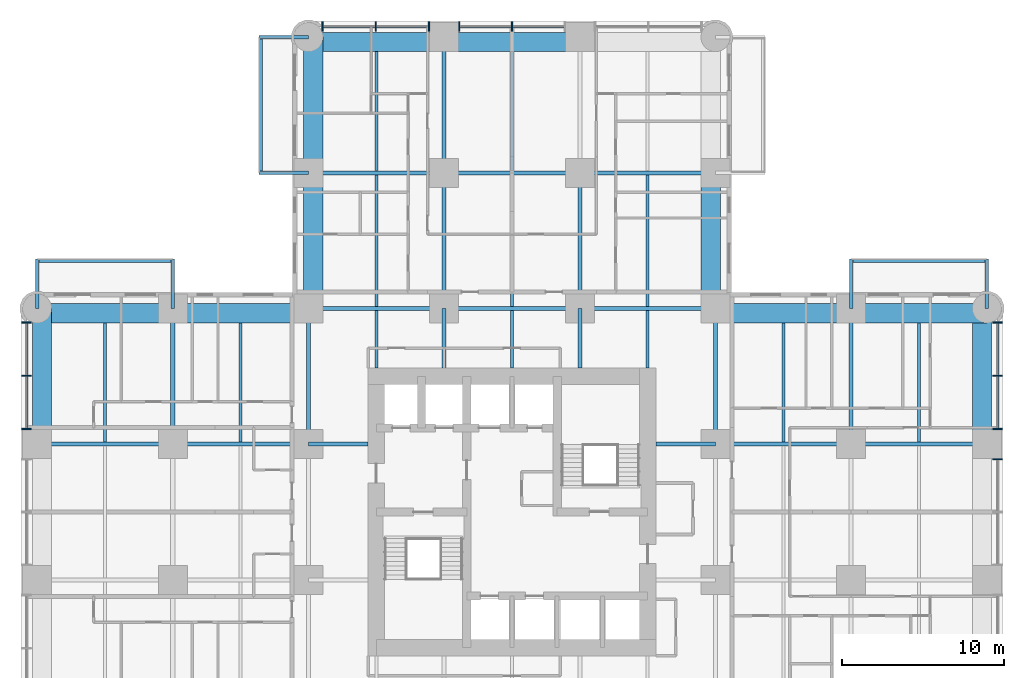
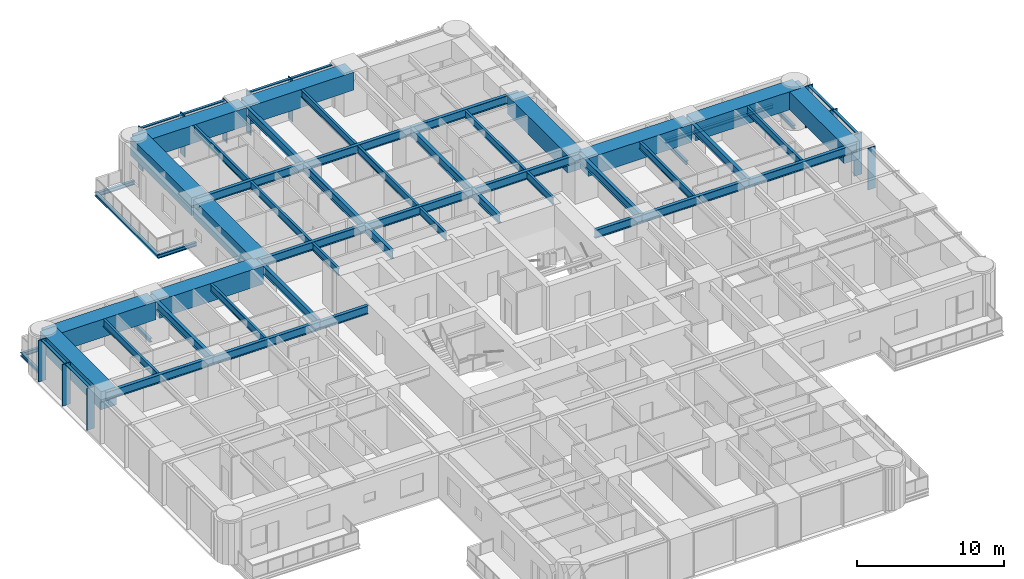
# One storey, part 4 of 17: 53 beams, 20 members, 3 elements without a shape of their own.
"""IFC4 building model written with IfcOpenShell, lengths in metres."""

from ifc_helpers import new_model, si_unit, direction, frame, origin, origin_2d, place, context, subcontext, project, spatial, rectangle, i_section, extrude, material, material_profile, profile_set, type_object, element, aggregate, save


model = new_model("IFC4")

# Units and contexts
model_context = context("Model", 3, precision=1e-05, world=origin(), true_north=direction((0.0, 1.0)))
body_context = subcontext(model_context, "Body", "Model", "MODEL_VIEW")
ifc_project = project(units=[si_unit("LENGTHUNIT", "METRE"), si_unit("AREAUNIT", "SQUARE_METRE"), si_unit("VOLUMEUNIT", "CUBIC_METRE"), si_unit("PLANEANGLEUNIT", "RADIAN"), si_unit("MASSUNIT", "GRAM", prefix="KILO")], contexts=[model_context])

# Site, building, storey
site_placement = place(None, origin())
site = spatial("IfcSite", under=ifc_project, at=site_placement, CompositionType="ELEMENT")
building_placement = place(site_placement, origin())
building = spatial("IfcBuilding", under=site, at=building_placement, Name="Torre Alcanfor", CompositionType="ELEMENT")
storey_placement = place(building_placement, frame((0.0, 0.0, 77.699951171875)))
storey = spatial("IfcBuildingStorey", under=building, at=storey_placement, Name="L19", CompositionType="ELEMENT", Elevation=77.699951171875)

# Beams
ifc_material_1 = material(Name="Steel ASTM A992 Grade 50", Category="steel")
ifc_material_profile_1 = material_profile(ifc_material_1, i_section(OverallWidth=0.205322265625, OverallDepth=0.309814453125, WebThickness=0.00927734375, FlangeThickness=0.016357421875, at=origin_2d()), Name="W12x50")
ifc_profile_set_1 = profile_set([ifc_material_profile_1], Name="Steel ASTM A992 Grade 50")
beam_type_1 = type_object("IfcBeamType", Name="Balcony cantilever beam W12x50", PredefinedType="BEAM", material=ifc_profile_set_1)
for number, where, z_axis, x_axis, name in (
    (1, (16.800048828125, 50.39990234375, -0.35498046875), (-1.0, 0.0, 0.0), (0.0, -1.0, 0.0), "Balcony cantilever beam L19-N1 1"),
    (2, (16.800048828125, 58.800048828125, -0.35498046875), (-1.0, 0.0, 0.0), (0.0, -1.0, 0.0), "Balcony cantilever beam L19-N1 2"),
    (3, (50.39990234375, 42.0, -0.35498046875), (0.0, 1.0, 0.0), (-1.0, 0.0, 0.0), "Balcony cantilever beam L19-E1 1"),
    (4, (58.800048828125, 42.0, -0.35498046875), (0.0, 1.0, 0.0), (-1.0, 0.0, 0.0), "Balcony cantilever beam L19-E1 2"),
    (5, (8.39990234375, 42.0, -0.35498046875), (0.0, 1.0, 0.0), (-1.0, 0.0, 0.0), "Balcony cantilever beam L19-W2 1"),
    (6, (0.0, 42.0, -0.35498046875), (0.0, 1.0, 0.0), (-1.0, 0.0, 0.0), "Balcony cantilever beam L19-W2 2"),
):
    element("IfcBeam", number, at=place(storey_placement, frame(where, z_axis=z_axis, x_axis=x_axis)), inside=storey, type_object=beam_type_1, Name=name, PredefinedType="BEAM", context=body_context, shape_type="SweptSolid", body=[
        extrude(i_section(OverallWidth=0.205322265625, OverallDepth=0.309814453125, WebThickness=0.00927734375, FlangeThickness=0.016357421875, at=origin_2d()), origin(), (0.0, 0.0, 1.0), 3.050048828125),
    ])
ifc_material_2 = material(Name="Steel ASTM A992 Grade 50", Category="steel")
ifc_material_profile_2 = material_profile(ifc_material_2, i_section(OverallWidth=0.203369140625, OverallDepth=0.30224609375, WebThickness=0.007568359375, FlangeThickness=0.01318359375, at=origin_2d()), Name="W12x40")
ifc_profile_set_2 = profile_set([ifc_material_profile_2], Name="Steel ASTM A992 Grade 50")
beam_type_2 = type_object("IfcBeamType", Name="Balcony edge trimmer W12x40", PredefinedType="BEAM", material=ifc_profile_set_2)
for number, where, z_axis, x_axis, name in (
    (7, (13.851806640625, 50.39990234375, -0.35107421875), (0.0, 1.0, 0.0), (-1.0, 0.0, 0.0), "Balcony edge trimmer L19-N1"),
    (8, (50.39990234375, 44.9482421875, -0.35107421875), (1.0, 0.0, 0.0), (0.0, 1.0, 0.0), "Balcony edge trimmer L19-E1"),
):
    element("IfcBeam", number, at=place(storey_placement, frame(where, z_axis=z_axis, x_axis=x_axis)), inside=storey, type_object=beam_type_2, Name=name, PredefinedType="BEAM", context=body_context, shape_type="SweptSolid", body=[
        extrude(i_section(OverallWidth=0.203369140625, OverallDepth=0.30224609375, WebThickness=0.007568359375, FlangeThickness=0.01318359375, at=origin_2d()), origin(), (0.0, 0.0, 1.0), 8.400146484375),
    ])
beam_1_placement = place(storey_placement, frame((8.39990234375, 44.9482421875, -0.35107421875), z_axis=(-1.0, 0.0, 0.0), x_axis=(0.0, -1.0, 0.0)))
element("IfcBeam", 9, at=beam_1_placement, inside=storey, type_object=beam_type_2, Name="Balcony edge trimmer L19-W2", PredefinedType="BEAM", context=body_context, shape_type="SweptSolid", body=[
    extrude(i_section(OverallWidth=0.203369140625, OverallDepth=0.30224609375, WebThickness=0.007568359375, FlangeThickness=0.01318359375, at=origin_2d()), origin(), (0.0, 0.0, 1.0), 8.39990234375),
])

# Curtain wall, members
ifc_material_3 = material(Name="Aluminium and glass", Category="aluminium")
curtain_wall_type = type_object("IfcCurtainWallType", Name="CW-A unitised apartment glazing with vertical FIN", PredefinedType="NOTDEFINED", material=ifc_material_3)
curtain_wall_1_placement = place(storey_placement, origin())
curtain_wall_1 = element("IfcCurtainWall", 10, at=curtain_wall_1_placement, inside=storey, type_object=curtain_wall_type, Name="Curtain wall CW-A L19 2", PredefinedType="NOTDEFINED")
ifc_material_4 = material(Name="Bronze anodised aluminium", Category="aluminium")
ifc_material_profile_3 = material_profile(ifc_material_4, rectangle(XDim=0.60009765625, YDim=0.06494140625, at=origin_2d()), Name="CW-A mullion 65x600")
ifc_profile_set_3 = profile_set([ifc_material_profile_3], Name="Bronze anodised aluminium")
member_type_1 = type_object("IfcMemberType", Name="CW-A mullion with vertical FIN 65x600", PredefinedType="MULLION", material=ifc_profile_set_3)
member_1_placement = place(storey_placement, frame((-0.64990234375, 41.133056640625, 0.0), z_axis=(0.0, 0.0, 1.0), x_axis=(1.0, 0.0, 0.0)))
member_1 = element("IfcMember", 11, at=member_1_placement, type_object=member_type_1, Name="CW-A mullion 1.1", PredefinedType="MULLION", context=body_context, shape_type="SweptSolid", body=[
    extrude(rectangle(XDim=0.60009765625, YDim=0.06494140625, at=origin_2d()), origin(), (0.0, 0.0, 1.0), 3.449951171875),
])
member_2_placement = place(storey_placement, frame((-0.64990234375, 37.835205078125, 0.0), z_axis=(0.0, 0.0, 1.0), x_axis=(1.0, 0.0, 0.0)))
member_2 = element("IfcMember", 12, at=member_2_placement, type_object=member_type_1, Name="CW-A mullion 1.2", PredefinedType="MULLION", context=body_context, shape_type="SweptSolid", body=[
    extrude(rectangle(XDim=0.60009765625, YDim=0.06494140625, at=origin_2d()), origin(), (0.0, 0.0, 1.0), 3.449951171875),
])
member_3_placement = place(storey_placement, frame((-0.64990234375, 34.53759765625, 0.0), z_axis=(0.0, 0.0, 1.0), x_axis=(1.0, 0.0, 0.0)))
member_3 = element("IfcMember", 13, at=member_3_placement, type_object=member_type_1, Name="CW-A mullion 1.3", PredefinedType="MULLION", context=body_context, shape_type="SweptSolid", body=[
    extrude(rectangle(XDim=0.60009765625, YDim=0.06494140625, at=origin_2d()), origin(), (0.0, 0.0, 1.0), 3.449951171875),
])

curtain_wall_2_placement = place(storey_placement, origin())
curtain_wall_2 = element("IfcCurtainWall", 14, at=curtain_wall_2_placement, inside=storey, type_object=curtain_wall_type, Name="Curtain wall CW-A L19 8", PredefinedType="NOTDEFINED")
member_4_placement = place(storey_placement, frame((59.449951171875, 32.66259765625, 0.0), z_axis=(0.0, 0.0, 1.0), x_axis=(-1.0, 0.0, 0.0)))
member_4 = element("IfcMember", 15, at=member_4_placement, type_object=member_type_1, Name="CW-A mullion 2.3", PredefinedType="MULLION", context=body_context, shape_type="SweptSolid", body=[
    extrude(rectangle(XDim=0.60009765625, YDim=0.06494140625, at=origin_2d()), origin(), (0.0, 0.0, 1.0), 3.449951171875),
])
member_5_placement = place(storey_placement, frame((59.449951171875, 34.53759765625, 0.0), z_axis=(0.0, 0.0, 1.0), x_axis=(-1.0, 0.0, 0.0)))
member_5 = element("IfcMember", 16, at=member_5_placement, type_object=member_type_1, Name="CW-A mullion 3.1", PredefinedType="MULLION", context=body_context, shape_type="SweptSolid", body=[
    extrude(rectangle(XDim=0.60009765625, YDim=0.06494140625, at=origin_2d()), origin(), (0.0, 0.0, 1.0), 3.449951171875),
])
member_6_placement = place(storey_placement, frame((59.449951171875, 37.835205078125, 0.0), z_axis=(0.0, 0.0, 1.0), x_axis=(-1.0, 0.0, 0.0)))
member_6 = element("IfcMember", 17, at=member_6_placement, type_object=member_type_1, Name="CW-A mullion 3.2", PredefinedType="MULLION", context=body_context, shape_type="SweptSolid", body=[
    extrude(rectangle(XDim=0.60009765625, YDim=0.06494140625, at=origin_2d()), origin(), (0.0, 0.0, 1.0), 3.449951171875),
])
member_7_placement = place(storey_placement, frame((59.449951171875, 41.133056640625, 0.0), z_axis=(0.0, 0.0, 1.0), x_axis=(-1.0, 0.0, 0.0)))
member_7 = element("IfcMember", 18, at=member_7_placement, type_object=member_type_1, Name="CW-A mullion 3.3", PredefinedType="MULLION", context=body_context, shape_type="SweptSolid", body=[
    extrude(rectangle(XDim=0.60009765625, YDim=0.06494140625, at=origin_2d()), origin(), (0.0, 0.0, 1.0), 3.449951171875),
])

curtain_wall_3_placement = place(storey_placement, origin())
curtain_wall_3 = element("IfcCurtainWall", 19, at=curtain_wall_3_placement, inside=storey, type_object=curtain_wall_type, Name="Curtain wall CW-A L19 11", PredefinedType="NOTDEFINED")
member_8_placement = place(storey_placement, frame((29.39990234375, 59.449951171875, 0.0), z_axis=(0.0, 0.0, 1.0), x_axis=(0.0, -1.0, 0.0)))
member_8 = element("IfcMember", 20, at=member_8_placement, type_object=member_type_1, Name="CW-A mullion 2.2", PredefinedType="MULLION", context=body_context, shape_type="SweptSolid", body=[
    extrude(rectangle(XDim=0.60009765625, YDim=0.06494140625, at=origin_2d()), origin(), (0.0, 0.0, 1.0), 3.449951171875),
])
member_9_placement = place(storey_placement, frame((26.137451171875, 59.449951171875, 0.0), z_axis=(0.0, 0.0, 1.0), x_axis=(0.0, -1.0, 0.0)))
member_9 = element("IfcMember", 21, at=member_9_placement, type_object=member_type_1, Name="CW-A mullion 2.3", PredefinedType="MULLION", context=body_context, shape_type="SweptSolid", body=[
    extrude(rectangle(XDim=0.60009765625, YDim=0.06494140625, at=origin_2d()), origin(), (0.0, 0.0, 1.0), 3.449951171875),
])
member_10_placement = place(storey_placement, frame((24.262451171875, 59.449951171875, 0.0), z_axis=(0.0, 0.0, 1.0), x_axis=(0.0, -1.0, 0.0)))
member_10 = element("IfcMember", 22, at=member_10_placement, type_object=member_type_1, Name="CW-A mullion 3.1", PredefinedType="MULLION", context=body_context, shape_type="SweptSolid", body=[
    extrude(rectangle(XDim=0.60009765625, YDim=0.06494140625, at=origin_2d()), origin(), (0.0, 0.0, 1.0), 3.449951171875),
])
member_11_placement = place(storey_placement, frame((20.96484375, 59.449951171875, 0.0), z_axis=(0.0, 0.0, 1.0), x_axis=(0.0, -1.0, 0.0)))
member_11 = element("IfcMember", 23, at=member_11_placement, type_object=member_type_1, Name="CW-A mullion 3.2", PredefinedType="MULLION", context=body_context, shape_type="SweptSolid", body=[
    extrude(rectangle(XDim=0.60009765625, YDim=0.06494140625, at=origin_2d()), origin(), (0.0, 0.0, 1.0), 3.449951171875),
])
member_12_placement = place(storey_placement, frame((17.6669921875, 59.449951171875, 0.0), z_axis=(0.0, 0.0, 1.0), x_axis=(0.0, -1.0, 0.0)))
member_12 = element("IfcMember", 24, at=member_12_placement, type_object=member_type_1, Name="CW-A mullion 3.3", PredefinedType="MULLION", context=body_context, shape_type="SweptSolid", body=[
    extrude(rectangle(XDim=0.60009765625, YDim=0.06494140625, at=origin_2d()), origin(), (0.0, 0.0, 1.0), 3.449951171875),
])

# Member
ifc_material_5 = material(Name="Extruded aluminium", Category="aluminium")
ifc_material_profile_4 = material_profile(ifc_material_5, rectangle(XDim=0.199951171875, YDim=0.06494140625, at=origin_2d()), Name="CW-A transom 200x65")
ifc_profile_set_4 = profile_set([ifc_material_profile_4], Name="Extruded aluminium")
member_type_2 = type_object("IfcMemberType", Name="CW-A transom 65x200", PredefinedType="USERDEFINED", material=ifc_profile_set_4)
member_13_placement = place(storey_placement, frame((-0.64990234375, 41.1005859375, 3.41748046875), z_axis=(0.0, -1.0, 0.0), x_axis=(1.0, 0.0, 0.0)))
member_13 = element("IfcMember", 25, at=member_13_placement, type_object=member_type_2, Name="CW-A transom 1.1.2", ObjectType="TRANSOM", PredefinedType="USERDEFINED", context=body_context, shape_type="SweptSolid", body=[
    extrude(rectangle(XDim=0.199951171875, YDim=0.06494140625, at=origin_2d()), origin(), (0.0, 0.0, 1.0), 3.23291015625),
])

member_14_placement = place(storey_placement, frame((-0.64990234375, 37.802734375, 3.41748046875), z_axis=(0.0, -1.0, 0.0), x_axis=(1.0, 0.0, 0.0)))
member_14 = element("IfcMember", 26, at=member_14_placement, type_object=member_type_2, Name="CW-A transom 1.2.2", ObjectType="TRANSOM", PredefinedType="USERDEFINED", context=body_context, shape_type="SweptSolid", body=[
    extrude(rectangle(XDim=0.199951171875, YDim=0.06494140625, at=origin_2d()), origin(), (0.0, 0.0, 1.0), 3.232666015625),
])

aggregate(curtain_wall_1, [member_1, member_2, member_3, member_13, member_14])

member_15_placement = place(storey_placement, frame((59.449951171875, 34.570068359375, 3.41748046875), z_axis=(0.0, 1.0, 0.0), x_axis=(-1.0, 0.0, 0.0)))
member_15 = element("IfcMember", 27, at=member_15_placement, type_object=member_type_2, Name="CW-A transom 3.1.2", ObjectType="TRANSOM", PredefinedType="USERDEFINED", context=body_context, shape_type="SweptSolid", body=[
    extrude(rectangle(XDim=0.199951171875, YDim=0.06494140625, at=origin_2d()), origin(), (0.0, 0.0, 1.0), 3.232666015625),
])

member_16_placement = place(storey_placement, frame((59.449951171875, 37.86767578125, 3.41748046875), z_axis=(0.0, 1.0, 0.0), x_axis=(-1.0, 0.0, 0.0)))
member_16 = element("IfcMember", 28, at=member_16_placement, type_object=member_type_2, Name="CW-A transom 3.2.2", ObjectType="TRANSOM", PredefinedType="USERDEFINED", context=body_context, shape_type="SweptSolid", body=[
    extrude(rectangle(XDim=0.199951171875, YDim=0.06494140625, at=origin_2d()), origin(), (0.0, 0.0, 1.0), 3.23291015625),
])

aggregate(curtain_wall_2, [member_4, member_5, member_6, member_7, member_15, member_16])

member_17_placement = place(storey_placement, frame((32.6298828125, 59.449951171875, 3.41748046875), z_axis=(-1.0, 0.0, 0.0), x_axis=(0.0, -1.0, 0.0)))
member_17 = element("IfcMember", 29, at=member_17_placement, type_object=member_type_2, Name="CW-A transom 2.1.2", ObjectType="TRANSOM", PredefinedType="USERDEFINED", context=body_context, shape_type="SweptSolid", body=[
    extrude(rectangle(XDim=0.199951171875, YDim=0.06494140625, at=origin_2d()), origin(), (0.0, 0.0, 1.0), 3.197265625),
])

member_18_placement = place(storey_placement, frame((29.367431640625, 59.449951171875, 3.41748046875), z_axis=(-1.0, 0.0, 0.0), x_axis=(0.0, -1.0, 0.0)))
member_18 = element("IfcMember", 30, at=member_18_placement, type_object=member_type_2, Name="CW-A transom 2.2.2", ObjectType="TRANSOM", PredefinedType="USERDEFINED", context=body_context, shape_type="SweptSolid", body=[
    extrude(rectangle(XDim=0.199951171875, YDim=0.06494140625, at=origin_2d()), origin(), (0.0, 0.0, 1.0), 3.197509765625),
])

member_19_placement = place(storey_placement, frame((24.22998046875, 59.449951171875, 3.41748046875), z_axis=(-1.0, 0.0, 0.0), x_axis=(0.0, -1.0, 0.0)))
member_19 = element("IfcMember", 31, at=member_19_placement, type_object=member_type_2, Name="CW-A transom 3.1.2", ObjectType="TRANSOM", PredefinedType="USERDEFINED", context=body_context, shape_type="SweptSolid", body=[
    extrude(rectangle(XDim=0.199951171875, YDim=0.06494140625, at=origin_2d()), origin(), (0.0, 0.0, 1.0), 3.232666015625),
])

member_20_placement = place(storey_placement, frame((20.93212890625, 59.449951171875, 3.41748046875), z_axis=(-1.0, 0.0, 0.0), x_axis=(0.0, -1.0, 0.0)))
member_20 = element("IfcMember", 32, at=member_20_placement, type_object=member_type_2, Name="CW-A transom 3.2.2", ObjectType="TRANSOM", PredefinedType="USERDEFINED", context=body_context, shape_type="SweptSolid", body=[
    extrude(rectangle(XDim=0.199951171875, YDim=0.06494140625, at=origin_2d()), origin(), (0.0, 0.0, 1.0), 3.232666015625),
])

aggregate(curtain_wall_3, [member_8, member_9, member_17, member_18, member_10, member_11, member_12, member_19, member_20])

# Beams
ifc_material_6 = material(Name="Steel ASTM A992 Grade 50", Category="steel")
ifc_material_profile_5 = material_profile(ifc_material_6, i_section(OverallWidth=0.25390625, OverallDepth=0.683349609375, WebThickness=0.012451171875, FlangeThickness=0.01904296875, at=origin_2d()), Name="W27x94")
ifc_profile_set_5 = profile_set([ifc_material_profile_5], Name="Steel ASTM A992 Grade 50")
beam_type_3 = type_object("IfcBeamType", Name="Girder W27x94", PredefinedType="BEAM", material=ifc_profile_set_5)
beam_2_placement = place(storey_placement, frame((0.0, 33.60009765625, 3.1083984375), z_axis=(1.0, 0.0, 0.0), x_axis=(0.0, 1.0, 0.0)))
element("IfcBeam", 33, at=beam_2_placement, inside=storey, type_object=beam_type_3, Name="Beam 1G-2G under L20", PredefinedType="BEAM", context=body_context, shape_type="SweptSolid", body=[
    extrude(i_section(OverallWidth=0.25390625, OverallDepth=0.683349609375, WebThickness=0.012451171875, FlangeThickness=0.01904296875, at=origin_2d()), origin(), (0.0, 0.0, 1.0), 8.39990234375),
])
beam_3_placement = place(storey_placement, frame((8.39990234375, 33.60009765625, 3.1083984375), z_axis=(1.0, 0.0, 0.0), x_axis=(0.0, 1.0, 0.0)))
element("IfcBeam", 34, at=beam_3_placement, inside=storey, type_object=beam_type_3, Name="Beam 2G-3G under L20", PredefinedType="BEAM", context=body_context, shape_type="SweptSolid", body=[
    extrude(i_section(OverallWidth=0.25390625, OverallDepth=0.683349609375, WebThickness=0.012451171875, FlangeThickness=0.01904296875, at=origin_2d()), origin(), (0.0, 0.0, 1.0), 8.400146484375),
])
beam_4_placement = place(storey_placement, frame((42.0, 33.60009765625, 3.1083984375), z_axis=(1.0, 0.0, 0.0), x_axis=(0.0, 1.0, 0.0)))
element("IfcBeam", 35, at=beam_4_placement, inside=storey, type_object=beam_type_3, Name="Beam 6G-7G under L20", PredefinedType="BEAM", context=body_context, shape_type="SweptSolid", body=[
    extrude(i_section(OverallWidth=0.25390625, OverallDepth=0.683349609375, WebThickness=0.012451171875, FlangeThickness=0.01904296875, at=origin_2d()), origin(), (0.0, 0.0, 1.0), 8.39990234375),
])
beam_5_placement = place(storey_placement, frame((50.39990234375, 33.60009765625, 3.1083984375), z_axis=(1.0, 0.0, 0.0), x_axis=(0.0, 1.0, 0.0)))
element("IfcBeam", 36, at=beam_5_placement, inside=storey, type_object=beam_type_3, Name="Beam 7G-8G under L20", PredefinedType="BEAM", context=body_context, shape_type="SweptSolid", body=[
    extrude(i_section(OverallWidth=0.25390625, OverallDepth=0.683349609375, WebThickness=0.012451171875, FlangeThickness=0.01904296875, at=origin_2d()), origin(), (0.0, 0.0, 1.0), 8.400146484375),
])
beam_6_placement = place(storey_placement, frame((16.800048828125, 42.0, 3.1083984375), z_axis=(1.0, 0.0, 0.0), x_axis=(0.0, 1.0, 0.0)))
element("IfcBeam", 37, at=beam_6_placement, inside=storey, type_object=beam_type_3, Name="Beam 3H-4H under L20", PredefinedType="BEAM", context=body_context, shape_type="SweptSolid", body=[
    extrude(i_section(OverallWidth=0.25390625, OverallDepth=0.683349609375, WebThickness=0.012451171875, FlangeThickness=0.01904296875, at=origin_2d()), origin(), (0.0, 0.0, 1.0), 8.39990234375),
])
beam_7_placement = place(storey_placement, frame((25.199951171875, 42.0, 3.1083984375), z_axis=(1.0, 0.0, 0.0), x_axis=(0.0, 1.0, 0.0)))
element("IfcBeam", 38, at=beam_7_placement, inside=storey, type_object=beam_type_3, Name="Beam 4H-5H under L20", PredefinedType="BEAM", context=body_context, shape_type="SweptSolid", body=[
    extrude(i_section(OverallWidth=0.25390625, OverallDepth=0.683349609375, WebThickness=0.012451171875, FlangeThickness=0.01904296875, at=origin_2d()), origin(), (0.0, 0.0, 1.0), 8.400146484375),
])
for number, where, z_axis, x_axis, name in (
    (39, (33.60009765625, 42.0, 3.1083984375), (1.0, 0.0, 0.0), (0.0, 1.0, 0.0), "Beam 5H-6H under L20"),
    (40, (16.800048828125, 50.39990234375, 3.1083984375), (1.0, 0.0, 0.0), (0.0, 1.0, 0.0), "Beam 3J-4J under L20"),
):
    element("IfcBeam", number, at=place(storey_placement, frame(where, z_axis=z_axis, x_axis=x_axis)), inside=storey, type_object=beam_type_3, Name=name, PredefinedType="BEAM", context=body_context, shape_type="SweptSolid", body=[
        extrude(i_section(OverallWidth=0.25390625, OverallDepth=0.683349609375, WebThickness=0.012451171875, FlangeThickness=0.01904296875, at=origin_2d()), origin(), (0.0, 0.0, 1.0), 8.39990234375),
    ])
beam_8_placement = place(storey_placement, frame((25.199951171875, 50.39990234375, 3.1083984375), z_axis=(1.0, 0.0, 0.0), x_axis=(0.0, 1.0, 0.0)))
element("IfcBeam", 41, at=beam_8_placement, inside=storey, type_object=beam_type_3, Name="Beam 4J-5J under L20", PredefinedType="BEAM", context=body_context, shape_type="SweptSolid", body=[
    extrude(i_section(OverallWidth=0.25390625, OverallDepth=0.683349609375, WebThickness=0.012451171875, FlangeThickness=0.01904296875, at=origin_2d()), origin(), (0.0, 0.0, 1.0), 8.400146484375),
])
for number, where, z_axis, x_axis, name in (
    (42, (33.60009765625, 50.39990234375, 3.1083984375), (1.0, 0.0, 0.0), (0.0, 1.0, 0.0), "Beam 5J-6J under L20"),
    (43, (8.39990234375, 33.60009765625, 3.1083984375), (0.0, 1.0, 0.0), (-1.0, 0.0, 0.0), "Beam 2G-2H under L20"),
    (44, (16.800048828125, 33.60009765625, 3.1083984375), (0.0, 1.0, 0.0), (-1.0, 0.0, 0.0), "Beam 3G-3H under L20"),
    (45, (25.199951171875, 42.0, 3.1083984375), (0.0, 1.0, 0.0), (-1.0, 0.0, 0.0), "Beam 4H-4J under L20"),
):
    element("IfcBeam", number, at=place(storey_placement, frame(where, z_axis=z_axis, x_axis=x_axis)), inside=storey, type_object=beam_type_3, Name=name, PredefinedType="BEAM", context=body_context, shape_type="SweptSolid", body=[
        extrude(i_section(OverallWidth=0.25390625, OverallDepth=0.683349609375, WebThickness=0.012451171875, FlangeThickness=0.01904296875, at=origin_2d()), origin(), (0.0, 0.0, 1.0), 8.39990234375),
    ])
beam_9_placement = place(storey_placement, frame((25.199951171875, 50.39990234375, 3.1083984375), z_axis=(0.0, 1.0, 0.0), x_axis=(-1.0, 0.0, 0.0)))
element("IfcBeam", 46, at=beam_9_placement, inside=storey, type_object=beam_type_3, Name="Beam 4J-4K under L20", PredefinedType="BEAM", context=body_context, shape_type="SweptSolid", body=[
    extrude(i_section(OverallWidth=0.25390625, OverallDepth=0.683349609375, WebThickness=0.012451171875, FlangeThickness=0.01904296875, at=origin_2d()), origin(), (0.0, 0.0, 1.0), 8.400146484375),
])
for number, where, z_axis, x_axis, name in (
    (47, (33.60009765625, 42.0, 3.1083984375), (0.0, 1.0, 0.0), (-1.0, 0.0, 0.0), "Beam 5H-5J under L20"),
    (48, (42.0, 33.60009765625, 3.1083984375), (0.0, 1.0, 0.0), (-1.0, 0.0, 0.0), "Beam 6G-6H under L20"),
    (49, (50.39990234375, 33.60009765625, 3.1083984375), (0.0, 1.0, 0.0), (-1.0, 0.0, 0.0), "Beam 7G-7H under L20"),
):
    element("IfcBeam", number, at=place(storey_placement, frame(where, z_axis=z_axis, x_axis=x_axis)), inside=storey, type_object=beam_type_3, Name=name, PredefinedType="BEAM", context=body_context, shape_type="SweptSolid", body=[
        extrude(i_section(OverallWidth=0.25390625, OverallDepth=0.683349609375, WebThickness=0.012451171875, FlangeThickness=0.01904296875, at=origin_2d()), origin(), (0.0, 0.0, 1.0), 8.39990234375),
    ])
ifc_material_7 = material(Name="Steel ASTM A992 Grade 50", Category="steel")
ifc_material_profile_6 = material_profile(ifc_material_7, i_section(OverallWidth=0.25390625, OverallDepth=0.683349609375, WebThickness=0.012451171875, FlangeThickness=0.01904296875, at=origin_2d()), Name="W27x94")
ifc_profile_set_6 = profile_set([ifc_material_profile_6], Name="Steel ASTM A992 Grade 50")
beam_type_4 = type_object("IfcBeamType", Name="Girder, part bay W27x94", PredefinedType="BEAM", material=ifc_profile_set_6)
for number, where, z_axis, x_axis, name in (
    (50, (25.199951171875, 42.0, 3.1083984375), (0.0, -1.0, 0.0), (1.0, 0.0, 0.0), "Beam 4H-438_3 under L20"),
    (51, (33.60009765625, 42.0, 3.1083984375), (0.0, -1.0, 0.0), (1.0, 0.0, 0.0), "Beam 5H-538_3 under L20"),
    (52, (16.800048828125, 33.60009765625, 3.1083984375), (1.0, 0.0, 0.0), (0.0, 1.0, 0.0), "Beam 3G-20_5G under L20"),
    (53, (42.0, 33.60009765625, 3.1083984375), (-1.0, 0.0, 0.0), (0.0, -1.0, 0.0), "Beam 6G-38_3G under L20"),
):
    element("IfcBeam", number, at=place(storey_placement, frame(where, z_axis=z_axis, x_axis=x_axis)), inside=storey, type_object=beam_type_4, Name=name, PredefinedType="BEAM", context=body_context, shape_type="SweptSolid", body=[
        extrude(i_section(OverallWidth=0.25390625, OverallDepth=0.683349609375, WebThickness=0.012451171875, FlangeThickness=0.01904296875, at=origin_2d()), origin(), (0.0, 0.0, 1.0), 3.699951171875),
    ])
ifc_material_8 = material(Name="Concrete f'c 70 MPa", Category="concrete")
ifc_material_profile_7 = material_profile(ifc_material_8, rectangle(XDim=1.199951171875, YDim=1.5, at=origin_2d()), Name="1200x1500")
ifc_profile_set_7 = profile_set([ifc_material_profile_7], Name="Concrete f'c 70 MPa")
beam_type_5 = type_object("IfcBeamType", Name="RC perimeter beam 1200x1500", PredefinedType="BEAM", material=ifc_profile_set_7)
beam_10_placement = place(storey_placement, frame((0.0, 41.699951171875, 2.699951171875), z_axis=(1.0, 0.0, 0.0), x_axis=(0.0, 1.0, 0.0)))
element("IfcBeam", 54, at=beam_10_placement, inside=storey, type_object=beam_type_5, Name="Beam 1H-2H under L20", PredefinedType="BEAM", context=body_context, shape_type="SweptSolid", body=[
    extrude(rectangle(XDim=1.199951171875, YDim=1.5, at=origin_2d()), origin(), (0.0, 0.0, 1.0), 8.27294921875),
])
for number, where, z_axis, x_axis, name in (
    (55, (8.527099609375, 41.699951171875, 2.699951171875), (1.0, 0.0, 0.0), (0.0, 1.0, 0.0), "Beam 2H-3H under L20"),
    (56, (42.126953125, 41.699951171875, 2.699951171875), (1.0, 0.0, 0.0), (0.0, 1.0, 0.0), "Beam 6H-7H under L20"),
):
    element("IfcBeam", number, at=place(storey_placement, frame(where, z_axis=z_axis, x_axis=x_axis)), inside=storey, type_object=beam_type_5, Name=name, PredefinedType="BEAM", context=body_context, shape_type="SweptSolid", body=[
        extrude(rectangle(XDim=1.199951171875, YDim=1.5, at=origin_2d()), origin(), (0.0, 0.0, 1.0), 8.14599609375),
    ])
for number, where, z_axis, x_axis, name in (
    (57, (50.527099609375, 41.699951171875, 2.699951171875), (1.0, 0.0, 0.0), (0.0, 1.0, 0.0), "Beam 7H-8H under L20"),
    (58, (16.800048828125, 58.5, 2.699951171875), (1.0, 0.0, 0.0), (0.0, 1.0, 0.0), "Beam 3K-4K under L20"),
):
    element("IfcBeam", number, at=place(storey_placement, frame(where, z_axis=z_axis, x_axis=x_axis)), inside=storey, type_object=beam_type_5, Name=name, PredefinedType="BEAM", context=body_context, shape_type="SweptSolid", body=[
        extrude(rectangle(XDim=1.199951171875, YDim=1.5, at=origin_2d()), origin(), (0.0, 0.0, 1.0), 8.27294921875),
    ])
beam_11_placement = place(storey_placement, frame((25.326904296875, 58.5, 2.699951171875), z_axis=(1.0, 0.0, 0.0), x_axis=(0.0, 1.0, 0.0)))
element("IfcBeam", 59, at=beam_11_placement, inside=storey, type_object=beam_type_5, Name="Beam 4K-5K under L20", PredefinedType="BEAM", context=body_context, shape_type="SweptSolid", body=[
    extrude(rectangle(XDim=1.199951171875, YDim=1.5, at=origin_2d()), origin(), (0.0, 0.0, 1.0), 8.14599609375),
])
beam_12_placement = place(storey_placement, frame((0.300048828125, 33.72705078125, 2.699951171875), z_axis=(0.0, 1.0, 0.0), x_axis=(-1.0, 0.0, 0.0)))
element("IfcBeam", 60, at=beam_12_placement, inside=storey, type_object=beam_type_5, Name="Beam 1G-1H under L20", PredefinedType="BEAM", context=body_context, shape_type="SweptSolid", body=[
    extrude(rectangle(XDim=1.199951171875, YDim=1.5, at=origin_2d()), origin(), (0.0, 0.0, 1.0), 8.27294921875),
])
beam_13_placement = place(storey_placement, frame((17.10009765625, 42.126953125, 2.699951171875), z_axis=(0.0, 1.0, 0.0), x_axis=(-1.0, 0.0, 0.0)))
element("IfcBeam", 61, at=beam_13_placement, inside=storey, type_object=beam_type_5, Name="Beam 3H-3J under L20", PredefinedType="BEAM", context=body_context, shape_type="SweptSolid", body=[
    extrude(rectangle(XDim=1.199951171875, YDim=1.5, at=origin_2d()), origin(), (0.0, 0.0, 1.0), 8.14599609375),
])
beam_14_placement = place(storey_placement, frame((17.10009765625, 50.527099609375, 2.699951171875), z_axis=(0.0, 1.0, 0.0), x_axis=(-1.0, 0.0, 0.0)))
element("IfcBeam", 62, at=beam_14_placement, inside=storey, type_object=beam_type_5, Name="Beam 3J-3K under L20", PredefinedType="BEAM", context=body_context, shape_type="SweptSolid", body=[
    extrude(rectangle(XDim=1.199951171875, YDim=1.5, at=origin_2d()), origin(), (0.0, 0.0, 1.0), 8.27294921875),
])
beam_15_placement = place(storey_placement, frame((41.699951171875, 42.126953125, 2.699951171875), z_axis=(0.0, 1.0, 0.0), x_axis=(-1.0, 0.0, 0.0)))
element("IfcBeam", 63, at=beam_15_placement, inside=storey, type_object=beam_type_5, Name="Beam 6H-6J under L20", PredefinedType="BEAM", context=body_context, shape_type="SweptSolid", body=[
    extrude(rectangle(XDim=1.199951171875, YDim=1.5, at=origin_2d()), origin(), (0.0, 0.0, 1.0), 8.14599609375),
])
beam_16_placement = place(storey_placement, frame((58.5, 33.72705078125, 2.699951171875), z_axis=(0.0, 1.0, 0.0), x_axis=(-1.0, 0.0, 0.0)))
element("IfcBeam", 64, at=beam_16_placement, inside=storey, type_object=beam_type_5, Name="Beam 8G-8H under L20", PredefinedType="BEAM", context=body_context, shape_type="SweptSolid", body=[
    extrude(rectangle(XDim=1.199951171875, YDim=1.5, at=origin_2d()), origin(), (0.0, 0.0, 1.0), 8.27294921875),
])
ifc_material_9 = material(Name="Steel ASTM A992 Grade 50", Category="steel")
ifc_material_profile_8 = material_profile(ifc_material_9, i_section(OverallWidth=0.1787109375, OverallDepth=0.60205078125, WebThickness=0.010986328125, FlangeThickness=0.014892578125, at=origin_2d()), Name="W24x62")
ifc_profile_set_8 = profile_set([ifc_material_profile_8], Name="Steel ASTM A992 Grade 50")
beam_type_6 = type_object("IfcBeamType", Name="Secondary beam W24x62", PredefinedType="BEAM", material=ifc_profile_set_8)
for number, where, z_axis, x_axis, name in (
    (65, (4.199951171875, 33.72705078125, 3.149169921875), (0.0, 1.0, 0.0), (-1.0, 0.0, 0.0), "Beam 4_2G-4_2H under L20"),
    (66, (12.60009765625, 33.72705078125, 3.149169921875), (0.0, 1.0, 0.0), (-1.0, 0.0, 0.0), "Beam 12_6G-12_6H under L20"),
):
    element("IfcBeam", number, at=place(storey_placement, frame(where, z_axis=z_axis, x_axis=x_axis)), inside=storey, type_object=beam_type_6, Name=name, PredefinedType="BEAM", context=body_context, shape_type="SweptSolid", body=[
        extrude(i_section(OverallWidth=0.1787109375, OverallDepth=0.60205078125, WebThickness=0.010986328125, FlangeThickness=0.014892578125, at=origin_2d()), origin(), (0.0, 0.0, 1.0), 7.373046875),
    ])
beam_17_placement = place(storey_placement, frame((21.0, 42.126953125, 3.149169921875), z_axis=(0.0, 1.0, 0.0), x_axis=(-1.0, 0.0, 0.0)))
element("IfcBeam", 67, at=beam_17_placement, inside=storey, type_object=beam_type_6, Name="Beam 21H-21J under L20", PredefinedType="BEAM", context=body_context, shape_type="SweptSolid", body=[
    extrude(i_section(OverallWidth=0.1787109375, OverallDepth=0.60205078125, WebThickness=0.010986328125, FlangeThickness=0.014892578125, at=origin_2d()), origin(), (0.0, 0.0, 1.0), 8.14599609375),
])
beam_18_placement = place(storey_placement, frame((21.0, 50.527099609375, 3.149169921875), z_axis=(0.0, 1.0, 0.0), x_axis=(-1.0, 0.0, 0.0)))
element("IfcBeam", 68, at=beam_18_placement, inside=storey, type_object=beam_type_6, Name="Beam 21J-21K under L20", PredefinedType="BEAM", context=body_context, shape_type="SweptSolid", body=[
    extrude(i_section(OverallWidth=0.1787109375, OverallDepth=0.60205078125, WebThickness=0.010986328125, FlangeThickness=0.014892578125, at=origin_2d()), origin(), (0.0, 0.0, 1.0), 7.372802734375),
])
beam_19_placement = place(storey_placement, frame((29.39990234375, 42.126953125, 3.149169921875), z_axis=(0.0, 1.0, 0.0), x_axis=(-1.0, 0.0, 0.0)))
element("IfcBeam", 69, at=beam_19_placement, inside=storey, type_object=beam_type_6, Name="Beam 29_4H-29_4J under L20", PredefinedType="BEAM", context=body_context, shape_type="SweptSolid", body=[
    extrude(i_section(OverallWidth=0.1787109375, OverallDepth=0.60205078125, WebThickness=0.010986328125, FlangeThickness=0.014892578125, at=origin_2d()), origin(), (0.0, 0.0, 1.0), 8.14599609375),
])
beam_20_placement = place(storey_placement, frame((29.39990234375, 50.527099609375, 3.149169921875), z_axis=(0.0, 1.0, 0.0), x_axis=(-1.0, 0.0, 0.0)))
element("IfcBeam", 70, at=beam_20_placement, inside=storey, type_object=beam_type_6, Name="Beam 29_4J-29_4K under L20", PredefinedType="BEAM", context=body_context, shape_type="SweptSolid", body=[
    extrude(i_section(OverallWidth=0.1787109375, OverallDepth=0.60205078125, WebThickness=0.010986328125, FlangeThickness=0.014892578125, at=origin_2d()), origin(), (0.0, 0.0, 1.0), 7.372802734375),
])
beam_21_placement = place(storey_placement, frame((37.800048828125, 42.126953125, 3.149169921875), z_axis=(0.0, 1.0, 0.0), x_axis=(-1.0, 0.0, 0.0)))
element("IfcBeam", 71, at=beam_21_placement, inside=storey, type_object=beam_type_6, Name="Beam 37_8H-37_8J under L20", PredefinedType="BEAM", context=body_context, shape_type="SweptSolid", body=[
    extrude(i_section(OverallWidth=0.1787109375, OverallDepth=0.60205078125, WebThickness=0.010986328125, FlangeThickness=0.014892578125, at=origin_2d()), origin(), (0.0, 0.0, 1.0), 8.14599609375),
])
for number, where, z_axis, x_axis, name in (
    (72, (46.199951171875, 33.72705078125, 3.149169921875), (0.0, 1.0, 0.0), (-1.0, 0.0, 0.0), "Beam 46_2G-46_2H under L20"),
    (73, (54.60009765625, 33.72705078125, 3.149169921875), (0.0, 1.0, 0.0), (-1.0, 0.0, 0.0), "Beam 54_6G-54_6H under L20"),
):
    element("IfcBeam", number, at=place(storey_placement, frame(where, z_axis=z_axis, x_axis=x_axis)), inside=storey, type_object=beam_type_6, Name=name, PredefinedType="BEAM", context=body_context, shape_type="SweptSolid", body=[
        extrude(i_section(OverallWidth=0.1787109375, OverallDepth=0.60205078125, WebThickness=0.010986328125, FlangeThickness=0.014892578125, at=origin_2d()), origin(), (0.0, 0.0, 1.0), 7.373046875),
    ])
ifc_material_10 = material(Name="Steel ASTM A992 Grade 50", Category="steel")
ifc_material_profile_9 = material_profile(ifc_material_10, i_section(OverallWidth=0.1787109375, OverallDepth=0.60205078125, WebThickness=0.010986328125, FlangeThickness=0.014892578125, at=origin_2d()), Name="W24x62")
ifc_profile_set_9 = profile_set([ifc_material_profile_9], Name="Steel ASTM A992 Grade 50")
beam_type_7 = type_object("IfcBeamType", Name="Secondary beam, part bay W24x62", PredefinedType="BEAM", material=ifc_profile_set_9)
for number, where, z_axis, x_axis, name in (
    (74, (21.0, 38.300048828125, 3.149169921875), (0.0, 1.0, 0.0), (-1.0, 0.0, 0.0), "Beam 2138_3-21H under L20"),
    (75, (29.39990234375, 38.300048828125, 3.149169921875), (0.0, 1.0, 0.0), (-1.0, 0.0, 0.0), "Beam 29_438_3-29_4H under L20"),
    (76, (37.800048828125, 38.300048828125, 3.149169921875), (0.0, 1.0, 0.0), (-1.0, 0.0, 0.0), "Beam 37_838_3-37_8H under L20"),
):
    element("IfcBeam", number, at=place(storey_placement, frame(where, z_axis=z_axis, x_axis=x_axis)), inside=storey, type_object=beam_type_7, Name=name, PredefinedType="BEAM", context=body_context, shape_type="SweptSolid", body=[
        extrude(i_section(OverallWidth=0.1787109375, OverallDepth=0.60205078125, WebThickness=0.010986328125, FlangeThickness=0.014892578125, at=origin_2d()), origin(), (0.0, 0.0, 1.0), 3.572998046875),
    ])

save(model, "model.ifc")
